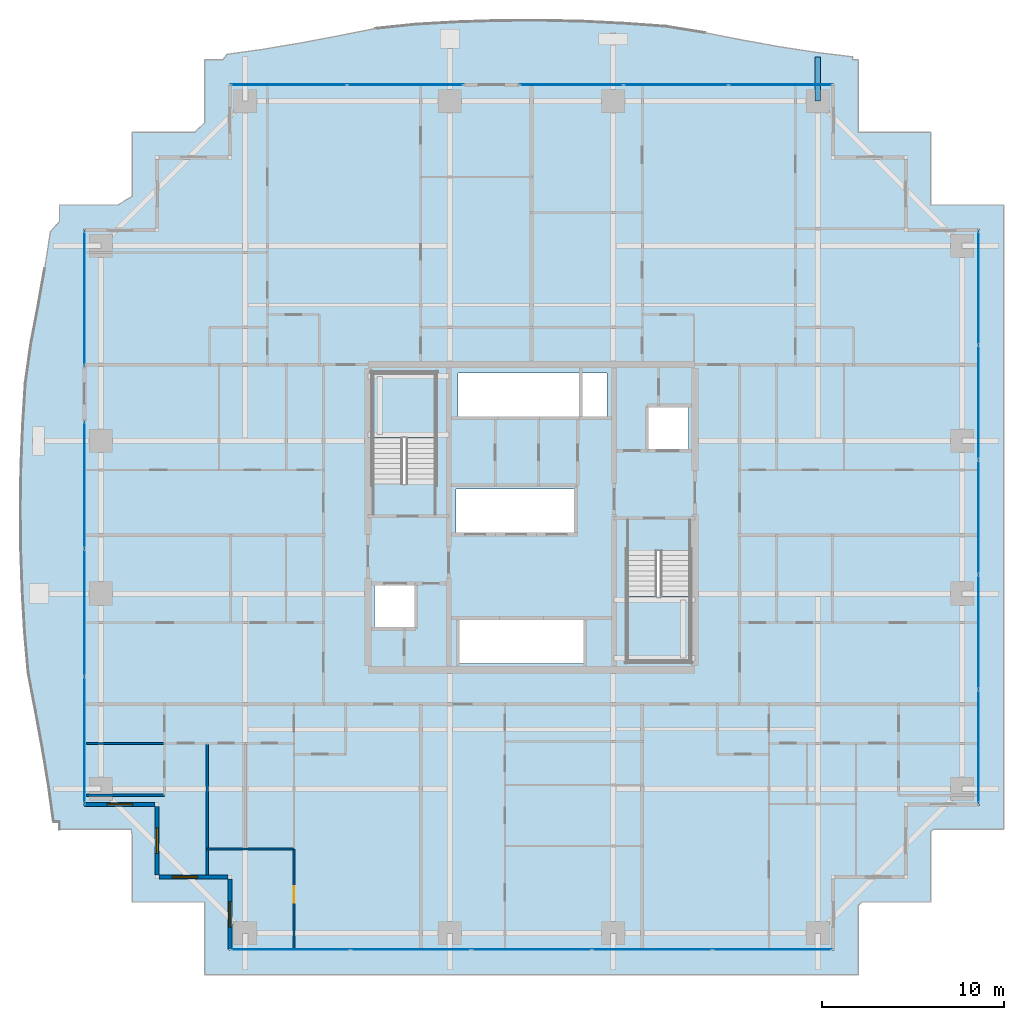
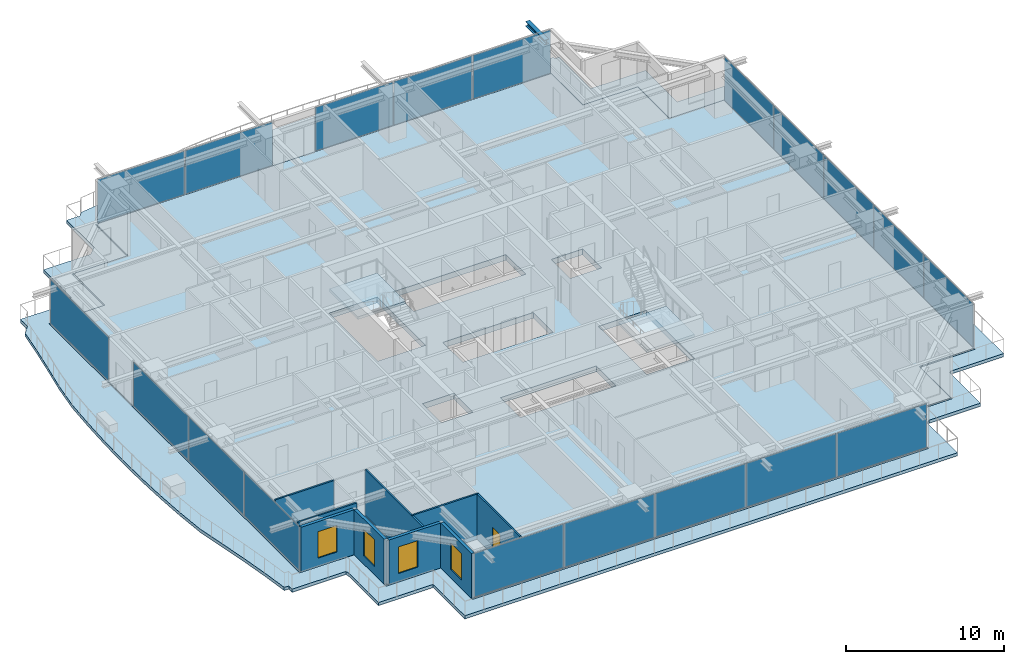
# One storey, part 26 of 38: 19 plates, 9 walls, 4 slabs, 4 windows, 1 beam, 1 door, 5 openings, 8 elements without a shape of their own.
"""IFC4 building model written with IfcOpenShell, lengths in metres."""

from ifc_helpers import new_model, si_unit, direction, frame, frame_2d, origin, origin_2d, place, context, subcontext, project, spatial, polyline, rectangle, i_section, outline, extrude, source, transform, mapped, material, layer, layer_set, material_profile, profile_set, type_object, element, fill, aggregate, save


model = new_model("IFC4")

# Units and contexts
model_context = context("Model", 3, precision=1e-05, world=origin(), true_north=direction((0.0, 1.0)))
body_context = subcontext(model_context, "Body", "Model", "MODEL_VIEW")
ifc_project = project(units=[si_unit("LENGTHUNIT", "METRE"), si_unit("AREAUNIT", "SQUARE_METRE"), si_unit("VOLUMEUNIT", "CUBIC_METRE"), si_unit("PLANEANGLEUNIT", "RADIAN"), si_unit("MASSUNIT", "GRAM", prefix="KILO")], contexts=[model_context])

# Site, building, storey
site_placement = place(None, origin())
site = spatial("IfcSite", under=ifc_project, at=site_placement, CompositionType="ELEMENT")
building_placement = place(site_placement, origin())
building = spatial("IfcBuilding", under=site, at=building_placement, Name="Serunith Strait Residences", CompositionType="ELEMENT")
storey_placement = place(building_placement, frame((0.0, 0.0, 120.14990234375)))
storey = spatial("IfcBuildingStorey", under=building, at=storey_placement, Name="L29", CompositionType="ELEMENT", Elevation=120.14990234375)

# Beam
ifc_material_1 = material(Name="Steel S355J2", Category="steel")
ifc_material_profile = material_profile(ifc_material_1, i_section(OverallWidth=0.300048828125, OverallDepth=0.360107421875, WebThickness=0.012451171875, FlangeThickness=0.0224609375, FilletRadius=0.027099609375, at=origin_2d()), Name="HEB 360")
ifc_profile_set = profile_set([ifc_material_profile], Name="Steel S355J2")
beam_type = type_object("IfcBeamType", Name="BM-HEB360", PredefinedType="BEAM", material=ifc_profile_set)
shared_shape_1 = source(origin(), body_context, "Body", "SweptSolid", [
    extrude(i_section(OverallWidth=0.300048828125, OverallDepth=0.360107421875, WebThickness=0.012451171875, FlangeThickness=0.0224609375, FilletRadius=0.027099609375, at=origin_2d()), origin(), (0.0, 0.0, 1.0), 2.4228515625),
])
beam_placement = place(storey_placement, frame((48.14990234375, 48.10009765625, 3.277099609375), z_axis=(0.0, 1.0, 0.0), x_axis=(-1.0, 0.0, 0.0)))
element("IfcBeam", 1, at=beam_placement, inside=storey, type_object=beam_type, Name="L30 Cantilevered Balcony Rib TC-N4", PredefinedType="BEAM", context=body_context, shape_type="MappedRepresentation", body=[
    mapped(shared_shape_1, transform((0.0, 0.0, 0.0), scale=1.0)),
])

# Slab
ifc_material_2 = material(Name="Concrete C50/60", Category="concrete")
ifc_layer_1 = layer(ifc_material_2, 0.239990234375, Name="Concrete C50/60")
ifc_layer_set_1 = layer_set([ifc_layer_1], Name="Concrete C50/60")
slab_type_1 = type_object("IfcSlabType", Name="SLB-BALC-240", PredefinedType="FLOOR", material=ifc_layer_set_1)
slab_1_placement = place(storey_placement, frame((0.0, 0.0, -0.289794921875)))
element("IfcSlab", 2, at=slab_1_placement, inside=storey, type_object=slab_type_1, Name="L29 Planted Vertical-Forest Balcony Slab", PredefinedType="FLOOR", context=body_context, shape_type="SweptSolid", body=[
    extrude(outline(polyline([(6.419921875, 8.02001953125), (6.419921875, 8.43017578125), (6.096923828125, 8.44873046875), (5.818603515625, 10.45068359375), (5.48583984375, 12.472412109375), (5.107177734375, 14.53076171875), (4.7060546875, 16.644287109375), (4.5078125, 18.869384765625), (4.376708984375, 21.136962890625), (4.29541015625, 23.42919921875), (4.272216796875, 25.733642578125), (4.30908203125, 28.03564453125), (4.403076171875, 30.3212890625), (4.544677734375, 32.5791015625), (4.8505859375, 34.75634765625), (5.24609375, 36.84521484375), (5.6083984375, 38.88623046875), (5.920654296875, 40.8974609375), (6.419921875, 41.4814453125), (6.419921875, 42.3798828125), (9.62939453125, 42.3798828125), (10.419921875, 42.8515625), (10.419921875, 46.3798828125), (13.863525390625, 46.3798828125), (14.419921875, 46.916015625), (14.419921875, 50.3798828125), (15.424072265625, 50.3798828125), (15.6328125, 50.672119140625), (17.630615234375, 50.95166015625), (19.647216796875, 51.290283203125), (21.70068359375, 51.679443359375), (23.8115234375, 52.095458984375), (26.036376953125, 52.325927734375), (28.3154296875, 52.456298828125), (30.6201171875, 52.530517578125), (32.93603515625, 52.540771484375), (35.2470703125, 52.486328125), (37.53759765625, 52.372802734375), (39.7958984375, 52.21142578125), (41.958740234375, 51.860107421875), (44.03759765625, 51.45361328125), (46.06982421875, 51.08935546875), (48.075439453125, 50.7822265625), (50.070068359375, 50.5341796875), (50.06884765625, 50.3798828125), (50.3798828125, 50.3798828125), (50.3798828125, 46.3798828125), (54.3798828125, 46.3798828125), (54.3798828125, 42.3798828125), (58.3798828125, 42.3798828125), (58.3798828125, 8.02001953125), (54.51513671875, 8.02001953125), (54.3798828125, 7.921875), (54.3798828125, 4.02001953125), (50.601806640625, 4.02001953125), (50.3798828125, 3.8408203125), (50.3798828125, 0.02001953125), (14.419921875, 0.02001953125), (14.419921875, 4.02001953125), (10.419921875, 4.02001953125), (10.419921875, 7.688232421875), (10.37109375, 8.02001953125), (6.419921875, 8.02001953125)]), holes=[polyline([(49.054931640625, 1.344970703125), (49.054931640625, 5.344970703125), (53.054931640625, 5.344970703125), (53.054931640625, 9.344970703125), (57.054931640625, 9.344970703125), (57.054931640625, 41.054931640625), (53.054931640625, 41.054931640625), (53.054931640625, 45.054931640625), (49.054931640625, 45.054931640625), (49.054931640625, 49.054931640625), (15.7451171875, 49.054931640625), (15.7451171875, 45.054931640625), (11.7451171875, 45.054931640625), (11.7451171875, 41.054931640625), (7.7451171875, 41.054931640625), (7.7451171875, 9.344970703125), (11.7451171875, 9.344970703125), (11.7451171875, 5.344970703125), (15.7451171875, 5.344970703125), (15.7451171875, 1.344970703125), (49.054931640625, 1.344970703125)])]), origin(), (0.0, 0.0, 1.0), 0.239990234375),
])

# Stair, slab
stair_type_1 = type_object("IfcStairType", Name="STR-CORE-1", PredefinedType="HALF_TURN_STAIR", material=ifc_material_2)
stair_1_placement = place(storey_placement, origin())
stair_1 = element("IfcStair", 3, at=stair_1_placement, inside=storey, type_object=stair_type_1, Name="L29 Protected Escape Stair ST-1", PredefinedType="HALF_TURN_STAIR")
ifc_layer_2 = layer(ifc_material_2, 0.199951171875, Name="Concrete C50/60")
ifc_layer_set_2 = layer_set([ifc_layer_2], Name="Concrete C50/60")
slab_type_2 = type_object("IfcSlabType", Name="SLB-LAND-200", PredefinedType="LANDING", material=ifc_layer_set_2)
slab_2_placement = place(storey_placement, frame((0.0, 0.0, 1.675048828125)))
slab_2 = element("IfcSlab", 4, at=slab_2_placement, type_object=slab_type_2, Name="ST-1 landing 1", PredefinedType="LANDING", context=body_context, shape_type="SweptSolid", body=[
    extrude(outline(polyline([(27.14990234375, 29.550048828125), (27.14990234375, 33.14990234375), (23.64990234375, 33.14990234375), (23.64990234375, 29.550048828125), (27.14990234375, 29.550048828125)])), origin(), (0.0, 0.0, 1.0), 0.199951171875),
])
aggregate(stair_1, [slab_2])

stair_type_2 = type_object("IfcStairType", Name="STR-CORE-2", PredefinedType="HALF_TURN_STAIR", material=ifc_material_2)
stair_2_placement = place(storey_placement, origin())
stair_2 = element("IfcStair", 5, at=stair_2_placement, inside=storey, type_object=stair_type_2, Name="L29 Protected Escape Stair ST-2", PredefinedType="HALF_TURN_STAIR")
slab_3_placement = place(storey_placement, frame((0.0, 0.0, 1.675048828125)))
slab_3 = element("IfcSlab", 6, at=slab_3_placement, type_object=slab_type_2, Name="ST-2 landing 1", PredefinedType="LANDING", context=body_context, shape_type="SweptSolid", body=[
    extrude(outline(polyline([(37.64990234375, 20.85009765625), (37.64990234375, 17.25), (41.14990234375, 17.25), (41.14990234375, 20.85009765625), (37.64990234375, 20.85009765625)])), origin(), (0.0, 0.0, 1.0), 0.199951171875),
])
aggregate(stair_2, [slab_3])

# Slab
ifc_material_3 = material(Name="Concrete C70/85", Category="concrete")
ifc_layer_3 = layer(ifc_material_3, 0.43994140625, Name="Concrete C70/85")
ifc_layer_set_3 = layer_set([ifc_layer_3], Name="Concrete C70/85")
slab_type_3 = type_object("IfcSlabType", Name="SLB-SETB-440", PredefinedType="FLOOR", material=ifc_layer_set_3)
slab_4_placement = place(storey_placement, frame((0.0, 0.0, -0.43994140625)))
element("IfcSlab", 7, at=slab_4_placement, inside=storey, type_object=slab_type_3, Name="L29 Structural Floor Plate", PredefinedType="FLOOR", context=body_context, shape_type="SweptSolid", body=[
    extrude(outline(polyline([(15.800048828125, 5.39990234375), (11.800048828125, 5.39990234375), (11.800048828125, 9.39990234375), (7.800048828125, 9.39990234375), (7.800048828125, 41.0), (11.800048828125, 41.0), (11.800048828125, 45.0), (15.800048828125, 45.0), (15.800048828125, 49.0), (49.0, 49.0), (49.0, 45.0), (53.0, 45.0), (53.0, 41.0), (57.0, 41.0), (57.0, 9.39990234375), (53.0, 9.39990234375), (53.0, 5.39990234375), (49.0, 5.39990234375), (49.0, 1.39990234375), (15.800048828125, 1.39990234375), (15.800048828125, 5.39990234375)]), holes=[polyline([(41.14990234375, 17.25), (41.14990234375, 23.3701171875), (37.64990234375, 23.3701171875), (37.64990234375, 17.25), (41.14990234375, 17.25)]), polyline([(41.050048828125, 31.25), (38.75, 31.25), (38.75, 28.85009765625), (41.050048828125, 28.85009765625), (41.050048828125, 31.25)]), polyline([(36.550048828125, 33.14990234375), (28.35009765625, 33.14990234375), (28.35009765625, 30.64990234375), (36.550048828125, 30.64990234375), (36.550048828125, 33.14990234375)]), polyline([(28.35009765625, 19.64990234375), (28.35009765625, 17.14990234375), (35.35009765625, 17.14990234375), (35.35009765625, 19.64990234375), (28.35009765625, 19.64990234375)]), polyline([(34.85009765625, 26.75), (28.25, 26.75), (28.25, 24.25), (34.85009765625, 24.25), (34.85009765625, 26.75)]), polyline([(23.64990234375, 33.14990234375), (23.64990234375, 27.030029296875), (27.14990234375, 27.030029296875), (27.14990234375, 33.14990234375), (23.64990234375, 33.14990234375)]), polyline([(26.050048828125, 21.550048828125), (23.75, 21.550048828125), (23.75, 19.14990234375), (26.050048828125, 19.14990234375), (26.050048828125, 21.550048828125)])]), origin(), (0.0, 0.0, 1.0), 0.43994140625),
])

# Curtain wall, plates
ifc_material_4 = material(Name="Pale-Champagne Anodised Aluminium", Category="aluminium")
ifc_layer_4 = layer(ifc_material_4, 0.199951171875, Name="Pale-Champagne Anodised Aluminium")
ifc_layer_set_4 = layer_set([ifc_layer_4], Name="Pale-Champagne Anodised Aluminium")
curtain_wall_type = type_object("IfcCurtainWallType", Name="CW-SYS2", PredefinedType="NOTDEFINED", material=ifc_layer_set_4)
curtain_wall_1_placement = place(storey_placement, origin())
curtain_wall_1 = element("IfcCurtainWall", 8, at=curtain_wall_1_placement, inside=storey, type_object=curtain_wall_type, Name="L29 S Unitised Fritted Curtain Wall", PredefinedType="NOTDEFINED")
ifc_material_5 = material(Name="Diagonal-Frit Operable Low-E Glazing 30mm", Category="glass")
ifc_layer_5 = layer(ifc_material_5, 0.030029296875, Name="Diagonal-Frit Operable Low-E Glazing 30mm")
ifc_layer_set_5 = layer_set([ifc_layer_5], Name="Diagonal-Frit Operable Low-E Glazing 30mm")
plate_type = type_object("IfcPlateType", Name="CW-SYS2-PNL", PredefinedType="CURTAIN_PANEL", material=ifc_layer_set_5)
shared_shape_2 = source(origin(), body_context, "Body", "SweptSolid", [
    extrude(rectangle(XDim=6.534912109375, YDim=0.030029296875, at=origin_2d()), origin(), (0.0, 0.0, 1.0), 3.35498046875),
])
plate_1_placement = place(storey_placement, frame((19.137451171875, 1.39990234375, 0.06005859375), z_axis=(0.0, 0.0, 1.0), x_axis=(1.0, 0.0, 0.0)))
plate_1 = element("IfcPlate", 9, at=plate_1_placement, type_object=plate_type, Name="CW-2 panel 1.1", PredefinedType="CURTAIN_PANEL", context=body_context, shape_type="MappedRepresentation", body=[
    mapped(shared_shape_2, transform((0.0, 0.0, 0.0), scale=1.0)),
])
plate_2_placement = place(storey_placement, frame((45.66259765625, 1.39990234375, 0.06005859375), z_axis=(0.0, 0.0, 1.0), x_axis=(1.0, 0.0, 0.0)))
plate_2 = element("IfcPlate", 10, at=plate_2_placement, type_object=plate_type, Name="CW-2 panel 5.1", PredefinedType="CURTAIN_PANEL", context=body_context, shape_type="MappedRepresentation", body=[
    mapped(shared_shape_2, transform((0.0, 0.0, 0.0), scale=1.0)),
])
shared_shape_3 = source(origin(), body_context, "Body", "SweptSolid", [
    extrude(rectangle(XDim=6.570068359375, YDim=0.030029296875, at=origin_2d()), origin(), (0.0, 0.0, 1.0), 3.35498046875),
])
plate_3_placement = place(storey_placement, frame((25.760009765625, 1.39990234375, 0.06005859375), z_axis=(0.0, 0.0, 1.0), x_axis=(1.0, 0.0, 0.0)))
plate_3 = element("IfcPlate", 11, at=plate_3_placement, type_object=plate_type, Name="CW-2 panel 2.1", PredefinedType="CURTAIN_PANEL", context=body_context, shape_type="MappedRepresentation", body=[
    mapped(shared_shape_3, transform((0.0, 0.0, 0.0), scale=1.0)),
])
plate_4_placement = place(storey_placement, frame((32.39990234375, 1.39990234375, 0.06005859375), z_axis=(0.0, 0.0, 1.0), x_axis=(1.0, 0.0, 0.0)))
plate_4 = element("IfcPlate", 12, at=plate_4_placement, type_object=plate_type, Name="CW-2 panel 3.1", PredefinedType="CURTAIN_PANEL", context=body_context, shape_type="MappedRepresentation", body=[
    mapped(shared_shape_3, transform((0.0, 0.0, 0.0), scale=1.0)),
])
plate_5_placement = place(storey_placement, frame((39.0400390625, 1.39990234375, 0.06005859375), z_axis=(0.0, 0.0, 1.0), x_axis=(1.0, 0.0, 0.0)))
plate_5 = element("IfcPlate", 13, at=plate_5_placement, type_object=plate_type, Name="CW-2 panel 4.1", PredefinedType="CURTAIN_PANEL", context=body_context, shape_type="MappedRepresentation", body=[
    mapped(shared_shape_3, transform((0.0, 0.0, 0.0), scale=1.0)),
])
aggregate(curtain_wall_1, [plate_1, plate_3, plate_4, plate_5, plate_2])

curtain_wall_2_placement = place(storey_placement, origin())
curtain_wall_2 = element("IfcCurtainWall", 14, at=curtain_wall_2_placement, inside=storey, type_object=curtain_wall_type, Name="L29 E Unitised Fritted Curtain Wall", PredefinedType="NOTDEFINED")
shared_shape_4 = source(origin(), body_context, "Body", "SweptSolid", [
    extrude(rectangle(XDim=6.215087890625, YDim=0.030029296875, at=origin_2d()), origin(), (0.0, 0.0, 1.0), 3.35498046875),
])
plate_6_placement = place(storey_placement, frame((57.0, 12.577392578125, 0.06005859375), z_axis=(0.0, 0.0, 1.0), x_axis=(0.0, 1.0, 0.0)))
plate_6 = element("IfcPlate", 15, at=plate_6_placement, type_object=plate_type, Name="CW-2 panel 1.1", PredefinedType="CURTAIN_PANEL", context=body_context, shape_type="MappedRepresentation", body=[
    mapped(shared_shape_4, transform((0.0, 0.0, 0.0), scale=1.0)),
])
plate_7_placement = place(storey_placement, frame((57.0, 37.822509765625, 0.06005859375), z_axis=(0.0, 0.0, 1.0), x_axis=(0.0, 1.0, 0.0)))
plate_7 = element("IfcPlate", 16, at=plate_7_placement, type_object=plate_type, Name="CW-2 panel 5.1", PredefinedType="CURTAIN_PANEL", context=body_context, shape_type="MappedRepresentation", body=[
    mapped(shared_shape_4, transform((0.0, 0.0, 0.0), scale=1.0)),
])
shared_shape_5 = source(origin(), body_context, "Body", "SweptSolid", [
    extrude(rectangle(XDim=6.25, YDim=0.030029296875, at=origin_2d()), origin(), (0.0, 0.0, 1.0), 3.35498046875),
])
plate_8_placement = place(storey_placement, frame((57.0, 18.8798828125, 0.06005859375), z_axis=(0.0, 0.0, 1.0), x_axis=(0.0, 1.0, 0.0)))
plate_8 = element("IfcPlate", 17, at=plate_8_placement, type_object=plate_type, Name="CW-2 panel 2.1", PredefinedType="CURTAIN_PANEL", context=body_context, shape_type="MappedRepresentation", body=[
    mapped(shared_shape_5, transform((0.0, 0.0, 0.0), scale=1.0)),
])
plate_9_placement = place(storey_placement, frame((57.0, 25.199951171875, 0.06005859375), z_axis=(0.0, 0.0, 1.0), x_axis=(0.0, 1.0, 0.0)))
plate_9 = element("IfcPlate", 18, at=plate_9_placement, type_object=plate_type, Name="CW-2 panel 3.1", PredefinedType="CURTAIN_PANEL", context=body_context, shape_type="MappedRepresentation", body=[
    mapped(shared_shape_5, transform((0.0, 0.0, 0.0), scale=1.0)),
])
plate_10_placement = place(storey_placement, frame((57.0, 31.52001953125, 0.06005859375), z_axis=(0.0, 0.0, 1.0), x_axis=(0.0, 1.0, 0.0)))
plate_10 = element("IfcPlate", 19, at=plate_10_placement, type_object=plate_type, Name="CW-2 panel 4.1", PredefinedType="CURTAIN_PANEL", context=body_context, shape_type="MappedRepresentation", body=[
    mapped(shared_shape_5, transform((0.0, 0.0, 0.0), scale=1.0)),
])
aggregate(curtain_wall_2, [plate_6, plate_8, plate_9, plate_10, plate_7])

curtain_wall_3_placement = place(storey_placement, origin())
curtain_wall_3 = element("IfcCurtainWall", 20, at=curtain_wall_3_placement, inside=storey, type_object=curtain_wall_type, Name="L29 N Unitised Fritted Curtain Wall", PredefinedType="NOTDEFINED")
shared_shape_6 = source(origin(), body_context, "Body", "SweptSolid", [
    extrude(rectangle(XDim=5.66162109375, YDim=0.030029296875, at=origin_2d()), origin(), (0.0, 0.0, 1.0), 3.35498046875),
])
plate_11_placement = place(storey_placement, frame((46.09912109375, 49.0, 0.06005859375), z_axis=(0.0, 0.0, 1.0), x_axis=(-1.0, 0.0, 0.0)))
plate_11 = element("IfcPlate", 21, at=plate_11_placement, type_object=plate_type, Name="CW-2 panel 1.1", PredefinedType="CURTAIN_PANEL", context=body_context, shape_type="MappedRepresentation", body=[
    mapped(shared_shape_6, transform((0.0, 0.0, 0.0), scale=1.0)),
])
plate_12_placement = place(storey_placement, frame((34.600830078125, 49.0, 0.06005859375), z_axis=(0.0, 0.0, 1.0), x_axis=(-1.0, 0.0, 0.0)))
plate_12 = element("IfcPlate", 22, at=plate_12_placement, type_object=plate_type, Name="CW-2 panel 3.1", PredefinedType="CURTAIN_PANEL", context=body_context, shape_type="MappedRepresentation", body=[
    mapped(shared_shape_6, transform((0.0, 0.0, 0.0), scale=1.0)),
])
shared_shape_7 = source(origin(), body_context, "Body", "SweptSolid", [
    extrude(rectangle(XDim=5.69677734375, YDim=0.030029296875, at=origin_2d()), origin(), (0.0, 0.0, 1.0), 3.35498046875),
])
plate_13_placement = place(storey_placement, frame((40.35009765625, 49.0, 0.06005859375), z_axis=(0.0, 0.0, 1.0), x_axis=(-1.0, 0.0, 0.0)))
plate_13 = element("IfcPlate", 23, at=plate_13_placement, type_object=plate_type, Name="CW-2 panel 2.1", PredefinedType="CURTAIN_PANEL", context=body_context, shape_type="MappedRepresentation", body=[
    mapped(shared_shape_7, transform((0.0, 0.0, 0.0), scale=1.0)),
])
aggregate(curtain_wall_3, [plate_11, plate_13, plate_12])

curtain_wall_4_placement = place(storey_placement, origin())
curtain_wall_4 = element("IfcCurtainWall", 24, at=curtain_wall_4_placement, inside=storey, type_object=curtain_wall_type, Name="L29 N Unitised Fritted Curtain Wall", PredefinedType="NOTDEFINED")
shared_shape_8 = source(origin(), body_context, "Body", "SweptSolid", [
    extrude(rectangle(XDim=6.344970703125, YDim=0.030029296875, at=origin_2d()), origin(), (0.0, 0.0, 1.0), 3.35498046875),
])
plate_14_placement = place(storey_placement, frame((25.45751953125, 49.0, 0.06005859375), z_axis=(0.0, 0.0, 1.0), x_axis=(-1.0, 0.0, 0.0)))
plate_14 = element("IfcPlate", 25, at=plate_14_placement, type_object=plate_type, Name="CW-2 panel 1.1", PredefinedType="CURTAIN_PANEL", context=body_context, shape_type="MappedRepresentation", body=[
    mapped(shared_shape_8, transform((0.0, 0.0, 0.0), scale=1.0)),
])
plate_15_placement = place(storey_placement, frame((19.04248046875, 49.0, 0.06005859375), z_axis=(0.0, 0.0, 1.0), x_axis=(-1.0, 0.0, 0.0)))
plate_15 = element("IfcPlate", 26, at=plate_15_placement, type_object=plate_type, Name="CW-2 panel 2.1", PredefinedType="CURTAIN_PANEL", context=body_context, shape_type="MappedRepresentation", body=[
    mapped(shared_shape_8, transform((0.0, 0.0, 0.0), scale=1.0)),
])
aggregate(curtain_wall_4, [plate_14, plate_15])

# Curtain wall, plate
curtain_wall_5_placement = place(storey_placement, origin())
curtain_wall_5 = element("IfcCurtainWall", 27, at=curtain_wall_5_placement, inside=storey, type_object=curtain_wall_type, Name="L29 W Unitised Fritted Curtain Wall", PredefinedType="NOTDEFINED")
shared_shape_9 = source(origin(), body_context, "Body", "SweptSolid", [
    extrude(rectangle(XDim=7.360107421875, YDim=0.030029296875, at=origin_2d()), origin(), (0.0, 0.0, 1.0), 3.35498046875),
])
plate_16_placement = place(storey_placement, frame((7.800048828125, 37.25, 0.06005859375), z_axis=(0.0, 0.0, 1.0), x_axis=(0.0, -1.0, 0.0)))
plate_16 = element("IfcPlate", 28, at=plate_16_placement, type_object=plate_type, Name="CW-2 panel 1.1", PredefinedType="CURTAIN_PANEL", context=body_context, shape_type="MappedRepresentation", body=[
    mapped(shared_shape_9, transform((0.0, 0.0, 0.0), scale=1.0)),
])
aggregate(curtain_wall_5, [plate_16])

# Curtain wall, plates
curtain_wall_6_placement = place(storey_placement, origin())
curtain_wall_6 = element("IfcCurtainWall", 29, at=curtain_wall_6_placement, inside=storey, type_object=curtain_wall_type, Name="L29 W Unitised Fritted Curtain Wall", PredefinedType="NOTDEFINED")
shared_shape_10 = source(origin(), body_context, "Body", "SweptSolid", [
    extrude(rectangle(XDim=6.92822265625, YDim=0.030029296875, at=origin_2d()), origin(), (0.0, 0.0, 1.0), 3.35498046875),
])
plate_17_placement = place(storey_placement, frame((7.800048828125, 26.9658203125, 0.06005859375), z_axis=(0.0, 0.0, 1.0), x_axis=(0.0, -1.0, 0.0)))
plate_17 = element("IfcPlate", 30, at=plate_17_placement, type_object=plate_type, Name="CW-2 panel 1.1", PredefinedType="CURTAIN_PANEL", context=body_context, shape_type="MappedRepresentation", body=[
    mapped(shared_shape_10, transform((0.0, 0.0, 0.0), scale=1.0)),
])
plate_18_placement = place(storey_placement, frame((7.800048828125, 12.93408203125, 0.06005859375), z_axis=(0.0, 0.0, 1.0), x_axis=(0.0, -1.0, 0.0)))
plate_18 = element("IfcPlate", 31, at=plate_18_placement, type_object=plate_type, Name="CW-2 panel 3.1", PredefinedType="CURTAIN_PANEL", context=body_context, shape_type="MappedRepresentation", body=[
    mapped(shared_shape_10, transform((0.0, 0.0, 0.0), scale=1.0)),
])
shared_shape_11 = source(origin(), body_context, "Body", "SweptSolid", [
    extrude(rectangle(XDim=6.96337890625, YDim=0.030029296875, at=origin_2d()), origin(), (0.0, 0.0, 1.0), 3.35498046875),
])
plate_19_placement = place(storey_placement, frame((7.800048828125, 19.949951171875, 0.06005859375), z_axis=(0.0, 0.0, 1.0), x_axis=(0.0, -1.0, 0.0)))
plate_19 = element("IfcPlate", 32, at=plate_19_placement, type_object=plate_type, Name="CW-2 panel 2.1", PredefinedType="CURTAIN_PANEL", context=body_context, shape_type="MappedRepresentation", body=[
    mapped(shared_shape_11, transform((0.0, 0.0, 0.0), scale=1.0)),
])
aggregate(curtain_wall_6, [plate_17, plate_19, plate_18])

# Wall, opening, window
ifc_material_6 = material(Name="Pale-Champagne Aluminium Insulated Panel", Category="aluminium")
ifc_layer_6 = layer(ifc_material_6, 0.219970703125, Name="Pale-Champagne Aluminium Insulated Panel")
ifc_layer_set_6 = layer_set([ifc_layer_6], Name="Pale-Champagne Aluminium Insulated Panel")
wall_type_1 = type_object("IfcWallType", Name="EW-ALUM-220", PredefinedType="ELEMENTEDWALL", material=ifc_layer_set_6)
wall_1_placement = place(storey_placement, frame((7.800048828125, 9.39990234375, 0.0), z_axis=(0.0, 0.0, 1.0), x_axis=(1.0, 0.0, 0.0)))
wall_1 = element("IfcWall", 33, at=wall_1_placement, inside=storey, type_object=wall_type_1, Name="L29 Girih Serrated Corner Wall 17", PredefinedType="ELEMENTEDWALL", context=body_context, shape_type="SweptSolid", body=[
    extrude(rectangle(XDim=3.889892578125, YDim=0.219970703125, at=frame_2d((1.94482421875, 0.0))), origin(), (0.0, 0.0, 1.0), 3.47509765625),
])
opening_1_placement = place(wall_1_placement, frame((1.2451171875, 0.0, 0.64990234375)))
opening_1 = element("IfcOpeningElement", 34, at=opening_1_placement, cuts=wall_1, Name="Opening W-03", PredefinedType="OPENING", context=body_context, shape_type="SweptSolid", body=[
    extrude(rectangle(XDim=1.39990234375, YDim=2.050048828125, at=frame_2d((0.699951171875, 1.02490234375))), frame((0.0, 0.1201171875, 0.0), z_axis=(0.0, -1.0, 0.0), x_axis=(1.0, 0.0, 0.0)), (0.0, 0.0, 1.0), 0.239990234375),
])
ifc_material_7 = material(Name="Ceramic-Fritted Operable Aluminium Window Glass", Category="aluminium")
window_type = type_object("IfcWindowType", Name="WIN-C3", PartitioningType="SINGLE_PANEL", PredefinedType="WINDOW", material=ifc_material_7)
shared_shape_12 = source(origin(), body_context, "Body", "SweptSolid", [
    extrude(rectangle(XDim=1.39990234375, YDim=2.050048828125, at=frame_2d((0.699951171875, 1.02490234375))), frame((0.0, 0.030029296875, 0.0), z_axis=(0.0, -1.0, 0.0), x_axis=(1.0, 0.0, 0.0)), (0.0, 0.0, 1.0), 0.06005859375),
])
window_1_placement = place(opening_1_placement, origin())
window_1 = element("IfcWindow", 35, at=window_1_placement, inside=storey, type_object=window_type, Name="L29 Corner Operable Fritted Window 17", OverallHeight=2.050048828125, OverallWidth=1.39990234375, PartitioningType="SINGLE_PANEL", PredefinedType="WINDOW", context=body_context, shape_type="MappedRepresentation", body=[
    mapped(shared_shape_12, transform((0.0, 0.0, 0.0), scale=1.0)),
])
fill(opening_1, window_1)

wall_2_placement = place(storey_placement, frame((11.800048828125, 9.2900390625, 0.0), z_axis=(0.0, 0.0, 1.0), x_axis=(0.0, -1.0, 0.0)))
wall_2 = element("IfcWall", 36, at=wall_2_placement, inside=storey, type_object=wall_type_1, Name="L29 Girih Serrated Corner Wall 18", PredefinedType="ELEMENTEDWALL", context=body_context, shape_type="SweptSolid", body=[
    extrude(rectangle(XDim=3.780029296875, YDim=0.219970703125, at=frame_2d((1.89013671875, 0.0))), origin(), (0.0, 0.0, 1.0), 3.47509765625),
])
opening_2_placement = place(wall_2_placement, frame((1.18994140625, 0.0, 0.64990234375)))
opening_2 = element("IfcOpeningElement", 37, at=opening_2_placement, cuts=wall_2, Name="Opening W-03", PredefinedType="OPENING", context=body_context, shape_type="SweptSolid", body=[
    extrude(rectangle(XDim=1.39990234375, YDim=2.050048828125, at=frame_2d((0.699951171875, 1.02490234375))), frame((0.0, 0.1201171875, 0.0), z_axis=(0.0, -1.0, 0.0), x_axis=(1.0, 0.0, 0.0)), (0.0, 0.0, 1.0), 0.239990234375),
])
window_2_placement = place(opening_2_placement, origin())
window_2 = element("IfcWindow", 38, at=window_2_placement, inside=storey, type_object=window_type, Name="L29 Corner Operable Fritted Window 18", OverallHeight=2.050048828125, OverallWidth=1.39990234375, PartitioningType="SINGLE_PANEL", PredefinedType="WINDOW", context=body_context, shape_type="MappedRepresentation", body=[
    mapped(shared_shape_12, transform((0.0, 0.0, 0.0), scale=1.0)),
])
fill(opening_2, window_2)

wall_3_placement = place(storey_placement, frame((11.909912109375, 5.39990234375, 0.0), z_axis=(0.0, 0.0, 1.0), x_axis=(1.0, 0.0, 0.0)))
wall_3 = element("IfcWall", 39, at=wall_3_placement, inside=storey, type_object=wall_type_1, Name="L29 Girih Serrated Corner Wall 19", PredefinedType="ELEMENTEDWALL", context=body_context, shape_type="SweptSolid", body=[
    extrude(rectangle(XDim=3.780029296875, YDim=0.219970703125, at=frame_2d((1.89013671875, 0.0))), origin(), (0.0, 0.0, 1.0), 3.47509765625),
])
opening_3_placement = place(wall_3_placement, frame((0.714111328125, 0.0, 0.64990234375)))
opening_3 = element("IfcOpeningElement", 40, at=opening_3_placement, cuts=wall_3, Name="Opening W-03", PredefinedType="OPENING", context=body_context, shape_type="SweptSolid", body=[
    extrude(rectangle(XDim=1.39990234375, YDim=2.050048828125, at=frame_2d((0.699951171875, 1.02490234375))), frame((0.0, 0.1201171875, 0.0), z_axis=(0.0, -1.0, 0.0), x_axis=(1.0, 0.0, 0.0)), (0.0, 0.0, 1.0), 0.239990234375),
])
window_3_placement = place(opening_3_placement, origin())
window_3 = element("IfcWindow", 41, at=window_3_placement, inside=storey, type_object=window_type, Name="L29 Corner Operable Fritted Window 19", OverallHeight=2.050048828125, OverallWidth=1.39990234375, PartitioningType="SINGLE_PANEL", PredefinedType="WINDOW", context=body_context, shape_type="MappedRepresentation", body=[
    mapped(shared_shape_12, transform((0.0, 0.0, 0.0), scale=1.0)),
])
fill(opening_3, window_3)

wall_4_placement = place(storey_placement, frame((15.800048828125, 5.2900390625, 0.0), z_axis=(0.0, 0.0, 1.0), x_axis=(0.0, -1.0, 0.0)))
wall_4 = element("IfcWall", 42, at=wall_4_placement, inside=storey, type_object=wall_type_1, Name="L29 Girih Serrated Corner Wall 20", PredefinedType="ELEMENTEDWALL", context=body_context, shape_type="SweptSolid", body=[
    extrude(rectangle(XDim=3.89013671875, YDim=0.219970703125, at=frame_2d((1.945068359375, 0.0))), origin(), (0.0, 0.0, 1.0), 3.47509765625),
])
opening_4_placement = place(wall_4_placement, frame((1.2451171875, 0.0, 0.64990234375)))
opening_4 = element("IfcOpeningElement", 43, at=opening_4_placement, cuts=wall_4, Name="Opening W-03", PredefinedType="OPENING", context=body_context, shape_type="SweptSolid", body=[
    extrude(rectangle(XDim=1.39990234375, YDim=2.050048828125, at=frame_2d((0.699951171875, 1.02490234375))), frame((0.0, 0.1201171875, 0.0), z_axis=(0.0, -1.0, 0.0), x_axis=(1.0, 0.0, 0.0)), (0.0, 0.0, 1.0), 0.239990234375),
])
window_4_placement = place(opening_4_placement, origin())
window_4 = element("IfcWindow", 44, at=window_4_placement, inside=storey, type_object=window_type, Name="L29 Corner Operable Fritted Window 20", OverallHeight=2.050048828125, OverallWidth=1.39990234375, PartitioningType="SINGLE_PANEL", PredefinedType="WINDOW", context=body_context, shape_type="MappedRepresentation", body=[
    mapped(shared_shape_12, transform((0.0, 0.0, 0.0), scale=1.0)),
])
fill(opening_4, window_4)

# Wall, opening, door
ifc_material_8 = material(Name="Lightweight steel-stud gypsum partition", Category="steel")
ifc_layer_7 = layer(ifc_material_8, 0.1201171875, Name="Lightweight steel-stud gypsum partition")
ifc_layer_set_7 = layer_set([ifc_layer_7], Name="Lightweight steel-stud gypsum partition")
wall_type_2 = type_object("IfcWallType", Name="IW-PART-120", PredefinedType="PARTITIONING", material=ifc_layer_set_7)
wall_5_placement = place(storey_placement, frame((19.330078125, 1.4951171875, 0.0), z_axis=(0.0, 0.0, 1.0), x_axis=(0.0, 1.0, 0.0)))
wall_5 = element("IfcWall", 45, at=wall_5_placement, inside=storey, type_object=wall_type_2, Name="L29 Partition Wall 034", PredefinedType="PARTITIONING", context=body_context, shape_type="SweptSolid", body=[
    extrude(rectangle(XDim=5.44287109375, YDim=0.1201171875, at=frame_2d((2.721435546875, 0.0))), origin(), (0.0, 0.0, 1.0), 3.489990234375),
])
opening_5_placement = place(wall_5_placement, frame((2.4990234375, 0.0, 0.0)))
opening_5 = element("IfcOpeningElement", 46, at=opening_5_placement, cuts=wall_5, Name="Opening D-RM900", PredefinedType="OPENING", context=body_context, shape_type="SweptSolid", body=[
    extrude(rectangle(XDim=0.89990234375, YDim=2.10009765625, at=frame_2d((0.449951171875, 1.050048828125))), frame((0.0, 0.070068359375, 0.0), z_axis=(0.0, -1.0, 0.0), x_axis=(1.0, 0.0, 0.0)), (0.0, 0.0, 1.0), 0.14013671875),
])
ifc_material_9 = material(Name="Engineered timber flush bedroom door", Category="wood")
door_type = type_object("IfcDoorType", Name="ID-ROOM-900", OperationType="NOTDEFINED", PredefinedType="DOOR", material=ifc_material_9)
shared_shape_13 = source(origin(), body_context, "Body", "SweptSolid", [
    extrude(rectangle(XDim=0.89990234375, YDim=2.10009765625, at=frame_2d((0.449951171875, 1.050048828125))), frame((0.0, 0.02490234375, 0.0), z_axis=(0.0, -1.0, 0.0), x_axis=(1.0, 0.0, 0.0)), (0.0, 0.0, 1.0), 0.050048828125),
])
door_placement = place(opening_5_placement, origin())
door = element("IfcDoor", 47, at=door_placement, inside=storey, type_object=door_type, Name="L29 Study 1 2901 Door", OperationType="SINGLE_SWING_LEFT", OverallHeight=2.10009765625, OverallWidth=0.89990234375, PredefinedType="DOOR", context=body_context, shape_type="MappedRepresentation", body=[
    mapped(shared_shape_13, transform((0.0, 0.0, 0.0), scale=1.0)),
])
fill(opening_5, door)

# Walls
wall_6_placement = place(storey_placement, frame((14.550048828125, 6.93798828125, 0.0), z_axis=(0.0, 0.0, 1.0), x_axis=(1.0, 0.0, 0.0)))
element("IfcWall", 48, at=wall_6_placement, inside=storey, type_object=wall_type_2, Name="L29 Partition Wall 036", PredefinedType="PARTITIONING", context=body_context, shape_type="SweptSolid", body=[
    extrude(rectangle(XDim=4.780029296875, YDim=0.1201171875, at=frame_2d((2.39013671875, 0.0))), origin(), (0.0, 0.0, 1.0), 3.489990234375),
])
wall_7_placement = place(storey_placement, frame((14.550048828125, 5.4951171875, 0.0), z_axis=(0.0, 0.0, 1.0), x_axis=(0.0, 1.0, 0.0)))
element("IfcWall", 49, at=wall_7_placement, inside=storey, type_object=wall_type_2, Name="L29 Partition Wall 037", PredefinedType="PARTITIONING", context=body_context, shape_type="SweptSolid", body=[
    extrude(rectangle(XDim=7.2548828125, YDim=0.1201171875, at=frame_2d((3.62744140625, 0.0))), origin(), (0.0, 0.0, 1.0), 3.489990234375),
])
wall_8_placement = place(storey_placement, frame((7.89501953125, 9.89501953125, 0.0), z_axis=(0.0, 0.0, 1.0), x_axis=(1.0, 0.0, 0.0)))
element("IfcWall", 50, at=wall_8_placement, inside=storey, type_object=wall_type_2, Name="L29 Partition Wall 042", PredefinedType="PARTITIONING", context=body_context, shape_type="SweptSolid", body=[
    extrude(rectangle(XDim=4.304931640625, YDim=0.1201171875, at=frame_2d((2.15234375, 0.0))), origin(), (0.0, 0.0, 1.0), 3.489990234375),
])
wall_9_placement = place(storey_placement, frame((7.89501953125, 12.75, 0.0), z_axis=(0.0, 0.0, 1.0), x_axis=(1.0, 0.0, 0.0)))
element("IfcWall", 51, at=wall_9_placement, inside=storey, type_object=wall_type_2, Name="L29 Partition Wall 043", PredefinedType="PARTITIONING", context=body_context, shape_type="SweptSolid", body=[
    extrude(rectangle(XDim=4.302978515625, YDim=0.1201171875, at=frame_2d((2.1513671875, 0.0))), origin(), (0.0, 0.0, 1.0), 3.489990234375),
])

save(model, "model.ifc")
